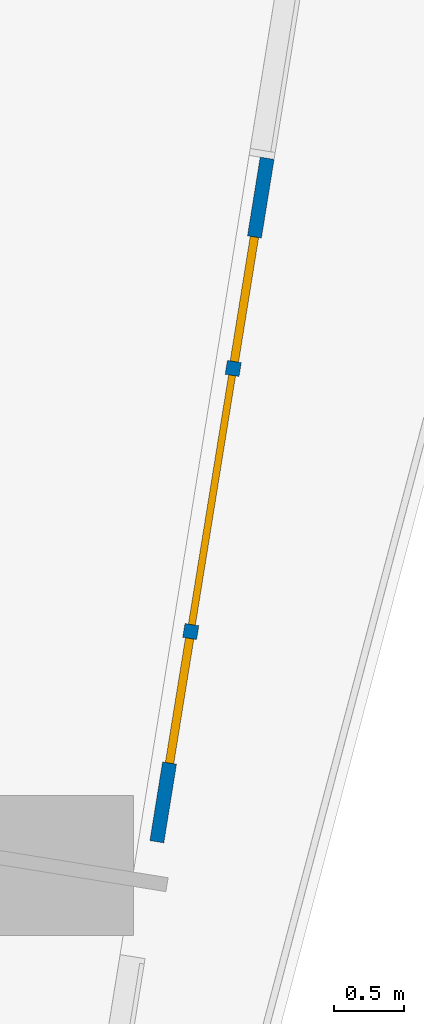
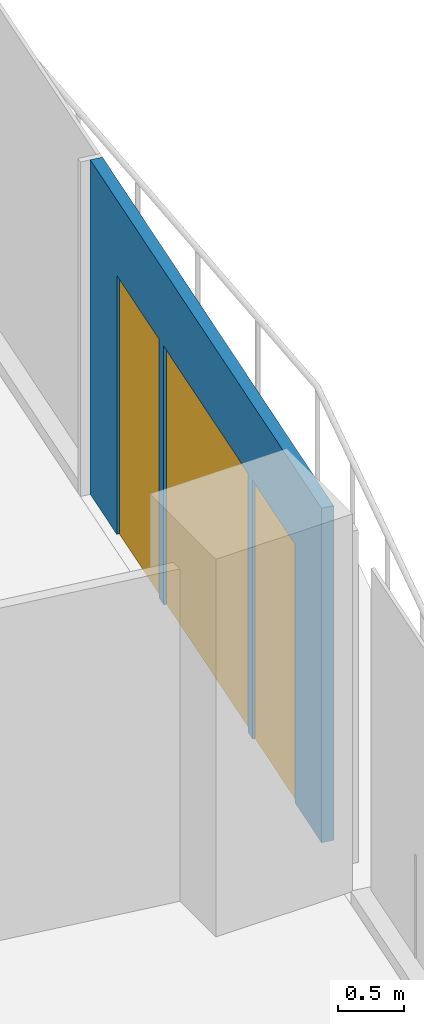
# One storey, part 26 of 32: 2 windows, 1 door, 1 wall, 3 openings.
"""IFC4 building model written with IfcOpenShell, lengths in metres."""

from ifc_helpers import new_model, si_unit, direction, frame, frame_2d, origin, place, context, subcontext, project, spatial, rectangle, extrude, material, layer, layer_set, type_object, element, fill, save


model = new_model("IFC4")

# Units and contexts
model_context = context("Model", 3, precision=1e-05, world=origin(), true_north=direction((0.0, 1.0)))
body_context = subcontext(model_context, "Body", "Model", "MODEL_VIEW")
ifc_project = project(units=[si_unit("LENGTHUNIT", "METRE"), si_unit("AREAUNIT", "SQUARE_METRE"), si_unit("VOLUMEUNIT", "CUBIC_METRE"), si_unit("PLANEANGLEUNIT", "RADIAN"), si_unit("MASSUNIT", "GRAM", prefix="KILO")], contexts=[model_context])

# Site, building, storey
site_placement = place(None, origin())
site = spatial("IfcSite", under=ifc_project, at=site_placement, CompositionType="ELEMENT")
building_placement = place(site_placement, origin())
building = spatial("IfcBuilding", under=site, at=building_placement, Name="Orlundy Tower", CompositionType="ELEMENT")
storey_placement = place(building_placement, frame((0.0, 0.0, 123.699951171875)))
storey = spatial("IfcBuildingStorey", under=building, at=storey_placement, Name="L31", CompositionType="ELEMENT", Elevation=123.699951171875)

# Wall, openings, windows, door
ifc_material_1 = material(Name="Aluminium bronze and tinted glass", Category="aluminium")
ifc_layer = layer(ifc_material_1, 0.10009765625)
ifc_layer_set = layer_set([ifc_layer], Name="Glazed door screen")
wall_type = type_object("IfcWallType", Name="Glazed door screen", PredefinedType="STANDARD", material=ifc_layer_set)
wall_placement = place(storey_placement, frame((59.700927734375, -4.34130859375, 0.0), z_axis=(0.0, 0.0, 1.0), x_axis=(-0.159319524755, -0.987227070654, 0.0)))
wall = element("IfcWall", 1, at=wall_placement, inside=storey, type_object=wall_type, Name="Glazed door screen", PredefinedType="STANDARD", context=body_context, shape_type="SweptSolid", body=[
    extrude(rectangle(XDim=4.935791015625, YDim=0.10009765625, at=frame_2d((2.4677734375, 0.0))), origin(), (0.0, 0.0, 1.0), 3.10009765625),
])
opening_1_placement = place(wall_placement, frame((1.56787109375, 0.0, 0.0)))
opening_1 = element("IfcOpeningElement", 2, at=opening_1_placement, cuts=wall, Name="Opening 24941", PredefinedType="OPENING", context=body_context, shape_type="SweptSolid", body=[
    extrude(rectangle(XDim=1.800048828125, YDim=2.39990234375, at=frame_2d((0.89990234375, 1.199951171875))), frame((0.0, 0.06005859375, 0.0), z_axis=(0.0, -1.0, 0.0), x_axis=(1.0, 0.0, 0.0)), (0.0, 0.0, 1.0), 0.1201171875),
])
opening_2_placement = place(wall_placement, frame((0.56787109375, 0.0, 0.0)))
opening_2 = element("IfcOpeningElement", 3, at=opening_2_placement, cuts=wall, Name="Opening W02", PredefinedType="OPENING", context=body_context, shape_type="SweptSolid", body=[
    extrude(rectangle(XDim=0.89990234375, YDim=2.39990234375, at=frame_2d((0.449951171875, 1.199951171875))), frame((0.0, 0.06005859375, 0.0), z_axis=(0.0, -1.0, 0.0), x_axis=(1.0, 0.0, 0.0)), (0.0, 0.0, 1.0), 0.1201171875),
])
opening_3_placement = place(wall_placement, frame((3.4677734375, 0.0, 0.0)))
opening_3 = element("IfcOpeningElement", 4, at=opening_3_placement, cuts=wall, Name="Opening W02", PredefinedType="OPENING", context=body_context, shape_type="SweptSolid", body=[
    extrude(rectangle(XDim=0.89990234375, YDim=2.39990234375, at=frame_2d((0.449951171875, 1.199951171875))), frame((0.0, 0.06005859375, 0.0), z_axis=(0.0, -1.0, 0.0), x_axis=(1.0, 0.0, 0.0)), (0.0, 0.0, 1.0), 0.1201171875),
])
ifc_material_2 = material(Name="Tinted glass in bronze aluminium frame", Category="aluminium")
window_type = type_object("IfcWindowType", Name="SL2 sidelight 900x2400", PartitioningType="SINGLE_PANEL", PredefinedType="WINDOW", material=ifc_material_2)
window_1_placement = place(opening_2_placement, origin())
window_1 = element("IfcWindow", 5, at=window_1_placement, inside=storey, type_object=window_type, Name="Window W02 L31", OverallHeight=2.39990234375, OverallWidth=0.89990234375, PartitioningType="SINGLE_PANEL", PredefinedType="WINDOW", context=body_context, shape_type="SweptSolid", body=[
    extrude(rectangle(XDim=0.89990234375, YDim=2.39990234375, at=frame_2d((0.449951171875, 1.199951171875))), frame((0.0, 0.030029296875, 0.0), z_axis=(0.0, -1.0, 0.0), x_axis=(1.0, 0.0, 0.0)), (0.0, 0.0, 1.0), 0.06005859375),
])
fill(opening_2, window_1)
window_2_placement = place(opening_3_placement, origin())
window_2 = element("IfcWindow", 6, at=window_2_placement, inside=storey, type_object=window_type, Name="Window W02 L31", OverallHeight=2.39990234375, OverallWidth=0.89990234375, PartitioningType="SINGLE_PANEL", PredefinedType="WINDOW", context=body_context, shape_type="SweptSolid", body=[
    extrude(rectangle(XDim=0.89990234375, YDim=2.39990234375, at=frame_2d((0.449951171875, 1.199951171875))), frame((0.0, 0.030029296875, 0.0), z_axis=(0.0, -1.0, 0.0), x_axis=(1.0, 0.0, 0.0)), (0.0, 0.0, 1.0), 0.06005859375),
])
fill(opening_3, window_2)
ifc_material_3 = material(Name="Aluminium bronze and tinted glass", Category="aluminium")
door_type = type_object("IfcDoorType", Name="TD3 terrace sliding door 1800x2400", OperationType="DOUBLE_DOOR_SLIDING", PredefinedType="DOOR", material=ifc_material_3)
door_placement = place(opening_1_placement, origin())
door = element("IfcDoor", 7, at=door_placement, inside=storey, type_object=door_type, Name="Door 24941", OperationType="DOUBLE_DOOR_SLIDING", OverallHeight=2.39990234375, OverallWidth=1.800048828125, PredefinedType="DOOR", context=body_context, shape_type="SweptSolid", body=[
    extrude(rectangle(XDim=1.800048828125, YDim=2.39990234375, at=frame_2d((0.89990234375, 1.199951171875))), frame((0.0, 0.02490234375, 0.0), z_axis=(0.0, -1.0, 0.0), x_axis=(1.0, 0.0, 0.0)), (0.0, 0.0, 1.0), 0.050048828125),
])
fill(opening_1, door)

save(model, "model.ifc")
